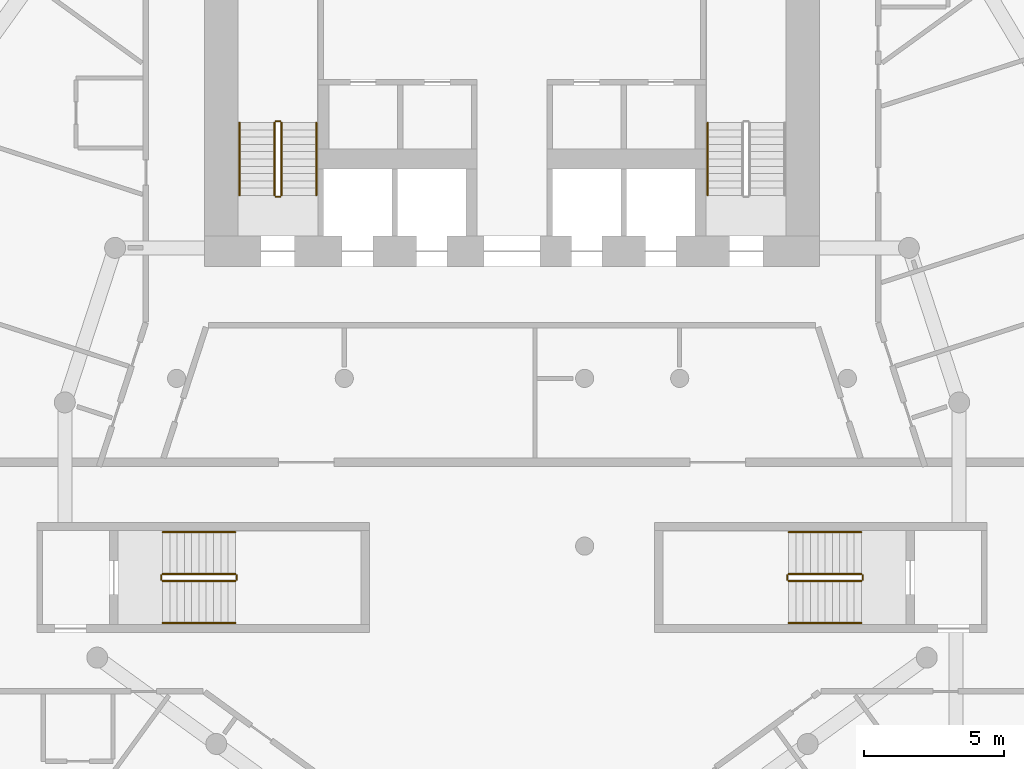
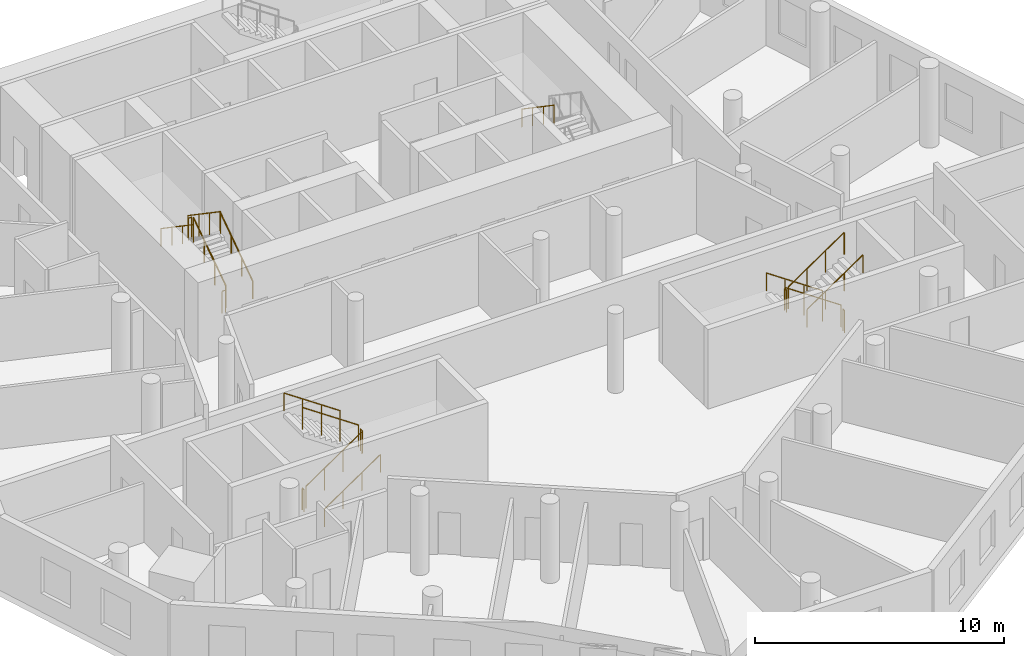
# One storey, part 8 of 9: 19 railings.
"""IFC4 building model written with IfcOpenShell, lengths in metres."""

from ifc_helpers import new_model, si_unit, direction, frame, origin, origin_2d, place, context, subcontext, project, spatial, circle, extrude, material, type_object, element, save


model = new_model("IFC4")

# Units and contexts
model_context = context("Model", 3, precision=1e-05, world=origin(), true_north=direction((0.0, 1.0)))
body_context = subcontext(model_context, "Body", "Model", "MODEL_VIEW")
ifc_project = project(units=[si_unit("LENGTHUNIT", "METRE"), si_unit("AREAUNIT", "SQUARE_METRE"), si_unit("VOLUMEUNIT", "CUBIC_METRE"), si_unit("PLANEANGLEUNIT", "RADIAN"), si_unit("MASSUNIT", "GRAM", prefix="KILO")], contexts=[model_context])

# Site, building, storey
site_placement = place(None, origin())
site = spatial("IfcSite", under=ifc_project, at=site_placement, CompositionType="ELEMENT")
building_placement = place(site_placement, origin())
building = spatial("IfcBuilding", under=site, at=building_placement, Name="White Candle Pilgrim Tower", CompositionType="ELEMENT")
storey_placement = place(building_placement, frame((0.0, 0.0, 94.699951171875)))
storey = spatial("IfcBuildingStorey", under=building, at=storey_placement, Name="L20", CompositionType="ELEMENT", Elevation=94.699951171875)

# Railings
ifc_material = material(Name="Stainless steel", Category="steel")
railing_type_1 = type_object("IfcRailingType", Name="Stair guard stainless steel 1100 mm", PredefinedType="GUARDRAIL", material=ifc_material)
railing_1_placement = place(storey_placement, frame((61.75, 73.550048828125, 0.17724609375)))
element("IfcRailing", 1, at=railing_1_placement, inside=storey, type_object=railing_type_1, Name="L20 ST1 stair guard 1", PredefinedType="GUARDRAIL", context=body_context, shape_type="SweptSolid", body=[
    extrude(circle(Radius=0.02392578125, at=origin_2d()), frame((0.0, 0.0, 1.076171875), z_axis=(0.0, 0.826215852431, 0.563353676824), x_axis=(-1.0, 0.0, 0.0)), (0.0, 0.0, 1.0), 3.146728515625),
    extrude(circle(Radius=0.02099609375, at=origin_2d()), origin(), (0.0, 0.0, 1.0), 1.052001953125),
    extrude(circle(Radius=0.02099609375, at=origin_2d()), frame((0.0, 0.86669921875, 0.5908203125)), (0.0, 0.0, 1.0), 1.052001953125),
    extrude(circle(Radius=0.02099609375, at=origin_2d()), frame((0.0, 1.733154296875, 1.181884765625)), (0.0, 0.0, 1.0), 1.052001953125),
    extrude(circle(Radius=0.02099609375, at=origin_2d()), frame((0.0, 2.599853515625, 1.772705078125)), (0.0, 0.0, 1.0), 1.052001953125),
])
railing_2_placement = place(storey_placement, frame((61.699951171875, 76.199951171875, 1.949951171875)))
element("IfcRailing", 2, at=railing_2_placement, inside=storey, type_object=railing_type_1, Name="L20 ST1 stair guard 2", PredefinedType="GUARDRAIL", context=body_context, shape_type="SweptSolid", body=[
    extrude(circle(Radius=0.02392578125, at=origin_2d()), frame((0.0, 0.0, 1.076171875), z_axis=(-1.0, 0.0, 0.0), x_axis=(0.0, -1.0, 0.0)), (0.0, 0.0, 1.0), 0.14990234375),
    extrude(circle(Radius=0.02099609375, at=origin_2d()), origin(), (0.0, 0.0, 1.0), 1.052001953125),
    extrude(circle(Radius=0.02099609375, at=origin_2d()), frame((-0.14990234375, 0.0, 0.0)), (0.0, 0.0, 1.0), 1.052001953125),
])
railing_3_placement = place(storey_placement, frame((61.5, 76.14990234375, 2.12744140625)))
element("IfcRailing", 3, at=railing_3_placement, inside=storey, type_object=railing_type_1, Name="L20 ST1 stair guard 3", PredefinedType="GUARDRAIL", context=body_context, shape_type="SweptSolid", body=[
    extrude(circle(Radius=0.02392578125, at=origin_2d()), frame((0.0, 0.0, 1.076171875), z_axis=(0.0, -0.826215852431, 0.563353676824), x_axis=(1.0, 0.0, 0.0)), (0.0, 0.0, 1.0), 3.146728515625),
    extrude(circle(Radius=0.02099609375, at=origin_2d()), origin(), (0.0, 0.0, 1.0), 1.052001953125),
    extrude(circle(Radius=0.02099609375, at=origin_2d()), frame((0.0, -0.86669921875, 0.5908203125)), (0.0, 0.0, 1.0), 1.052001953125),
    extrude(circle(Radius=0.02099609375, at=origin_2d()), frame((0.0, -1.733154296875, 1.181884765625)), (0.0, 0.0, 1.0), 1.052001953125),
    extrude(circle(Radius=0.02099609375, at=origin_2d()), frame((0.0, -2.599853515625, 1.772705078125)), (0.0, 0.0, 1.0), 1.052001953125),
])
railing_4_placement = place(storey_placement, frame((61.699951171875, 73.5, 0.0)))
element("IfcRailing", 4, at=railing_4_placement, inside=storey, type_object=railing_type_1, Name="L20 ST1 stair guard 4", PredefinedType="GUARDRAIL", context=body_context, shape_type="SweptSolid", body=[
    extrude(circle(Radius=0.02392578125, at=origin_2d()), frame((0.0, 0.0, 1.076171875), z_axis=(-1.0, 0.0, 0.0), x_axis=(0.0, -1.0, 0.0)), (0.0, 0.0, 1.0), 0.14990234375),
    extrude(circle(Radius=0.02099609375, at=origin_2d()), origin(), (0.0, 0.0, 1.0), 1.052001953125),
    extrude(circle(Radius=0.02099609375, at=origin_2d()), frame((-0.14990234375, 0.0, 0.0)), (0.0, 0.0, 1.0), 1.052001953125),
])
railing_5_placement = place(storey_placement, frame((82.5, 60.0, 0.17724609375)))
element("IfcRailing", 5, at=railing_5_placement, inside=storey, type_object=railing_type_1, Name="L20 ST4 stair guard 1", PredefinedType="GUARDRAIL", context=body_context, shape_type="SweptSolid", body=[
    extrude(circle(Radius=0.02392578125, at=origin_2d()), frame((0.0, 0.0, 1.076171875), z_axis=(-0.826240473404, 0.0, 0.563317565952), x_axis=(0.0, -1.0, 0.0)), (0.0, 0.0, 1.0), 3.14697265625),
    extrude(circle(Radius=0.02099609375, at=origin_2d()), origin(), (0.0, 0.0, 1.0), 1.052001953125),
    extrude(circle(Radius=0.02099609375, at=origin_2d()), frame((-0.86669921875, 0.0, 0.5908203125)), (0.0, 0.0, 1.0), 1.052001953125),
    extrude(circle(Radius=0.02099609375, at=origin_2d()), frame((-1.7333984375, 0.0, 1.181884765625)), (0.0, 0.0, 1.0), 1.052001953125),
    extrude(circle(Radius=0.02099609375, at=origin_2d()), frame((-2.60009765625, 0.0, 1.772705078125)), (0.0, 0.0, 1.0), 1.052001953125),
])
railing_6_placement = place(storey_placement, frame((79.85009765625, 59.949951171875, 1.949951171875)))
element("IfcRailing", 6, at=railing_6_placement, inside=storey, type_object=railing_type_1, Name="L20 ST4 stair guard 2", PredefinedType="GUARDRAIL", context=body_context, shape_type="SweptSolid", body=[
    extrude(circle(Radius=0.02392578125, at=origin_2d()), frame((0.0, 0.0, 1.076171875), z_axis=(0.0, -1.0, 0.0), x_axis=(1.0, 0.0, 0.0)), (0.0, 0.0, 1.0), 0.14990234375),
    extrude(circle(Radius=0.02099609375, at=origin_2d()), origin(), (0.0, 0.0, 1.0), 1.052001953125),
    extrude(circle(Radius=0.02099609375, at=origin_2d()), frame((0.0, -0.14990234375, 0.0)), (0.0, 0.0, 1.0), 1.052001953125),
])
railing_7_placement = place(storey_placement, frame((79.89990234375, 59.75, 2.12744140625)))
element("IfcRailing", 7, at=railing_7_placement, inside=storey, type_object=railing_type_1, Name="L20 ST4 stair guard 3", PredefinedType="GUARDRAIL", context=body_context, shape_type="SweptSolid", body=[
    extrude(circle(Radius=0.02392578125, at=origin_2d()), frame((0.0, 0.0, 1.076171875), z_axis=(0.826240473404, 0.0, 0.563317565952), x_axis=(0.0, 1.0, 0.0)), (0.0, 0.0, 1.0), 3.14697265625),
    extrude(circle(Radius=0.02099609375, at=origin_2d()), origin(), (0.0, 0.0, 1.0), 1.052001953125),
    extrude(circle(Radius=0.02099609375, at=origin_2d()), frame((0.86669921875, 0.0, 0.5908203125)), (0.0, 0.0, 1.0), 1.052001953125),
    extrude(circle(Radius=0.02099609375, at=origin_2d()), frame((1.7333984375, 0.0, 1.181884765625)), (0.0, 0.0, 1.0), 1.052001953125),
    extrude(circle(Radius=0.02099609375, at=origin_2d()), frame((2.60009765625, 0.0, 1.772705078125)), (0.0, 0.0, 1.0), 1.052001953125),
])
railing_8_placement = place(storey_placement, frame((82.550048828125, 59.949951171875, 0.0)))
element("IfcRailing", 8, at=railing_8_placement, inside=storey, type_object=railing_type_1, Name="L20 ST4 stair guard 4", PredefinedType="GUARDRAIL", context=body_context, shape_type="SweptSolid", body=[
    extrude(circle(Radius=0.02392578125, at=origin_2d()), frame((0.0, 0.0, 1.076171875), z_axis=(0.0, -1.0, 0.0), x_axis=(1.0, 0.0, 0.0)), (0.0, 0.0, 1.0), 0.14990234375),
    extrude(circle(Radius=0.02099609375, at=origin_2d()), origin(), (0.0, 0.0, 1.0), 1.052001953125),
    extrude(circle(Radius=0.02099609375, at=origin_2d()), frame((0.0, -0.14990234375, 0.0)), (0.0, 0.0, 1.0), 1.052001953125),
])
railing_9_placement = place(storey_placement, frame((57.5, 59.75, 0.17724609375)))
element("IfcRailing", 9, at=railing_9_placement, inside=storey, type_object=railing_type_1, Name="L20 ST5 stair guard 1", PredefinedType="GUARDRAIL", context=body_context, shape_type="SweptSolid", body=[
    extrude(circle(Radius=0.02392578125, at=origin_2d()), frame((0.0, 0.0, 1.076171875), z_axis=(0.826240473404, 0.0, 0.563317565952), x_axis=(0.0, 1.0, 0.0)), (0.0, 0.0, 1.0), 3.14697265625),
    extrude(circle(Radius=0.02099609375, at=origin_2d()), origin(), (0.0, 0.0, 1.0), 1.052001953125),
    extrude(circle(Radius=0.02099609375, at=origin_2d()), frame((0.86669921875, 0.0, 0.5908203125)), (0.0, 0.0, 1.0), 1.052001953125),
    extrude(circle(Radius=0.02099609375, at=origin_2d()), frame((1.7333984375, 0.0, 1.181884765625)), (0.0, 0.0, 1.0), 1.052001953125),
    extrude(circle(Radius=0.02099609375, at=origin_2d()), frame((2.60009765625, 0.0, 1.772705078125)), (0.0, 0.0, 1.0), 1.052001953125),
])
railing_10_placement = place(storey_placement, frame((60.14990234375, 59.800048828125, 1.949951171875)))
element("IfcRailing", 10, at=railing_10_placement, inside=storey, type_object=railing_type_1, Name="L20 ST5 stair guard 2", PredefinedType="GUARDRAIL", context=body_context, shape_type="SweptSolid", body=[
    extrude(circle(Radius=0.02392578125, at=origin_2d()), frame((0.0, 0.0, 1.076171875), z_axis=(0.0, 1.0, 0.0), x_axis=(-1.0, 0.0, 0.0)), (0.0, 0.0, 1.0), 0.14990234375),
    extrude(circle(Radius=0.02099609375, at=origin_2d()), origin(), (0.0, 0.0, 1.0), 1.052001953125),
    extrude(circle(Radius=0.02099609375, at=origin_2d()), frame((0.0, 0.14990234375, 0.0)), (0.0, 0.0, 1.0), 1.052001953125),
])
railing_11_placement = place(storey_placement, frame((60.10009765625, 60.0, 2.12744140625)))
element("IfcRailing", 11, at=railing_11_placement, inside=storey, type_object=railing_type_1, Name="L20 ST5 stair guard 3", PredefinedType="GUARDRAIL", context=body_context, shape_type="SweptSolid", body=[
    extrude(circle(Radius=0.02392578125, at=origin_2d()), frame((0.0, 0.0, 1.076171875), z_axis=(-0.826240473404, 0.0, 0.563317565952), x_axis=(0.0, -1.0, 0.0)), (0.0, 0.0, 1.0), 3.14697265625),
    extrude(circle(Radius=0.02099609375, at=origin_2d()), origin(), (0.0, 0.0, 1.0), 1.052001953125),
    extrude(circle(Radius=0.02099609375, at=origin_2d()), frame((-0.86669921875, 0.0, 0.5908203125)), (0.0, 0.0, 1.0), 1.052001953125),
    extrude(circle(Radius=0.02099609375, at=origin_2d()), frame((-1.7333984375, 0.0, 1.181884765625)), (0.0, 0.0, 1.0), 1.052001953125),
    extrude(circle(Radius=0.02099609375, at=origin_2d()), frame((-2.60009765625, 0.0, 1.772705078125)), (0.0, 0.0, 1.0), 1.052001953125),
])
railing_12_placement = place(storey_placement, frame((57.449951171875, 59.800048828125, 0.0)))
element("IfcRailing", 12, at=railing_12_placement, inside=storey, type_object=railing_type_1, Name="L20 ST5 stair guard 4", PredefinedType="GUARDRAIL", context=body_context, shape_type="SweptSolid", body=[
    extrude(circle(Radius=0.02392578125, at=origin_2d()), frame((0.0, 0.0, 1.076171875), z_axis=(0.0, 1.0, 0.0), x_axis=(-1.0, 0.0, 0.0)), (0.0, 0.0, 1.0), 0.14990234375),
    extrude(circle(Radius=0.02099609375, at=origin_2d()), origin(), (0.0, 0.0, 1.0), 1.052001953125),
    extrude(circle(Radius=0.02099609375, at=origin_2d()), frame((0.0, 0.14990234375, 0.0)), (0.0, 0.0, 1.0), 1.052001953125),
])
railing_type_2 = type_object("IfcRailingType", Name="Stair handrail stainless steel", PredefinedType="HANDRAIL", material=ifc_material)
railing_13_placement = place(storey_placement, frame((63.0, 73.550048828125, 0.17724609375)))
element("IfcRailing", 13, at=railing_13_placement, inside=storey, type_object=railing_type_2, Name="L20 ST1 stair handrail 1", PredefinedType="HANDRAIL", context=body_context, shape_type="SweptSolid", body=[
    extrude(circle(Radius=0.02392578125, at=origin_2d()), frame((0.0, 0.0, 0.8759765625), z_axis=(0.0, 0.826215852431, 0.563353676824), x_axis=(-1.0, 0.0, 0.0)), (0.0, 0.0, 1.0), 3.146728515625),
    extrude(circle(Radius=0.02099609375, at=origin_2d()), origin(), (0.0, 0.0, 1.0), 0.851806640625),
    extrude(circle(Radius=0.02099609375, at=origin_2d()), frame((0.0, 0.86669921875, 0.5908203125)), (0.0, 0.0, 1.0), 0.851806640625),
    extrude(circle(Radius=0.02099609375, at=origin_2d()), frame((0.0, 1.733154296875, 1.181884765625)), (0.0, 0.0, 1.0), 0.851806640625),
    extrude(circle(Radius=0.02099609375, at=origin_2d()), frame((0.0, 2.599853515625, 1.772705078125)), (0.0, 0.0, 1.0), 0.851806640625),
])
for number, where, name in (
    (14, (60.25, 76.14990234375, 2.12744140625), "L20 ST1 stair handrail 2"),
    (15, (77.0, 76.14990234375, 2.12744140625), "L20 ST2 stair handrail 2"),
):
    element("IfcRailing", number, at=place(storey_placement, frame(where)), inside=storey, type_object=railing_type_2, Name=name, PredefinedType="HANDRAIL", context=body_context, shape_type="SweptSolid", body=[
        extrude(circle(Radius=0.02392578125, at=origin_2d()), frame((0.0, 0.0, 0.8759765625), z_axis=(0.0, -0.826215852431, 0.563353676824), x_axis=(1.0, 0.0, 0.0)), (0.0, 0.0, 1.0), 3.146728515625),
        extrude(circle(Radius=0.02099609375, at=origin_2d()), origin(), (0.0, 0.0, 1.0), 0.851806640625),
        extrude(circle(Radius=0.02099609375, at=origin_2d()), frame((0.0, -0.86669921875, 0.5908203125)), (0.0, 0.0, 1.0), 0.851806640625),
        extrude(circle(Radius=0.02099609375, at=origin_2d()), frame((0.0, -1.733154296875, 1.181884765625)), (0.0, 0.0, 1.0), 0.851806640625),
        extrude(circle(Radius=0.02099609375, at=origin_2d()), frame((0.0, -2.599853515625, 1.772705078125)), (0.0, 0.0, 1.0), 0.851806640625),
    ])
railing_14_placement = place(storey_placement, frame((82.5, 61.5, 0.17724609375)))
element("IfcRailing", 16, at=railing_14_placement, inside=storey, type_object=railing_type_2, Name="L20 ST4 stair handrail 1", PredefinedType="HANDRAIL", context=body_context, shape_type="SweptSolid", body=[
    extrude(circle(Radius=0.02392578125, at=origin_2d()), frame((0.0, 0.0, 0.8759765625), z_axis=(-0.826240473404, 0.0, 0.563317565952), x_axis=(0.0, -1.0, 0.0)), (0.0, 0.0, 1.0), 3.14697265625),
    extrude(circle(Radius=0.02099609375, at=origin_2d()), origin(), (0.0, 0.0, 1.0), 0.851806640625),
    extrude(circle(Radius=0.02099609375, at=origin_2d()), frame((-0.86669921875, 0.0, 0.5908203125)), (0.0, 0.0, 1.0), 0.851806640625),
    extrude(circle(Radius=0.02099609375, at=origin_2d()), frame((-1.7333984375, 0.0, 1.181884765625)), (0.0, 0.0, 1.0), 0.851806640625),
    extrude(circle(Radius=0.02099609375, at=origin_2d()), frame((-2.60009765625, 0.0, 1.772705078125)), (0.0, 0.0, 1.0), 0.851806640625),
])
for number, where, name in (
    (17, (79.89990234375, 58.25, 2.12744140625), "L20 ST4 stair handrail 2"),
    (18, (57.5, 58.25, 0.17724609375), "L20 ST5 stair handrail 1"),
):
    element("IfcRailing", number, at=place(storey_placement, frame(where)), inside=storey, type_object=railing_type_2, Name=name, PredefinedType="HANDRAIL", context=body_context, shape_type="SweptSolid", body=[
        extrude(circle(Radius=0.02392578125, at=origin_2d()), frame((0.0, 0.0, 0.8759765625), z_axis=(0.826240473404, 0.0, 0.563317565952), x_axis=(0.0, 1.0, 0.0)), (0.0, 0.0, 1.0), 3.14697265625),
        extrude(circle(Radius=0.02099609375, at=origin_2d()), origin(), (0.0, 0.0, 1.0), 0.851806640625),
        extrude(circle(Radius=0.02099609375, at=origin_2d()), frame((0.86669921875, 0.0, 0.5908203125)), (0.0, 0.0, 1.0), 0.851806640625),
        extrude(circle(Radius=0.02099609375, at=origin_2d()), frame((1.7333984375, 0.0, 1.181884765625)), (0.0, 0.0, 1.0), 0.851806640625),
        extrude(circle(Radius=0.02099609375, at=origin_2d()), frame((2.60009765625, 0.0, 1.772705078125)), (0.0, 0.0, 1.0), 0.851806640625),
    ])
railing_15_placement = place(storey_placement, frame((60.10009765625, 61.5, 2.12744140625)))
element("IfcRailing", 19, at=railing_15_placement, inside=storey, type_object=railing_type_2, Name="L20 ST5 stair handrail 2", PredefinedType="HANDRAIL", context=body_context, shape_type="SweptSolid", body=[
    extrude(circle(Radius=0.02392578125, at=origin_2d()), frame((0.0, 0.0, 0.8759765625), z_axis=(-0.826240473404, 0.0, 0.563317565952), x_axis=(0.0, -1.0, 0.0)), (0.0, 0.0, 1.0), 3.14697265625),
    extrude(circle(Radius=0.02099609375, at=origin_2d()), origin(), (0.0, 0.0, 1.0), 0.851806640625),
    extrude(circle(Radius=0.02099609375, at=origin_2d()), frame((-0.86669921875, 0.0, 0.5908203125)), (0.0, 0.0, 1.0), 0.851806640625),
    extrude(circle(Radius=0.02099609375, at=origin_2d()), frame((-1.7333984375, 0.0, 1.181884765625)), (0.0, 0.0, 1.0), 0.851806640625),
    extrude(circle(Radius=0.02099609375, at=origin_2d()), frame((-2.60009765625, 0.0, 1.772705078125)), (0.0, 0.0, 1.0), 0.851806640625),
])

save(model, "model.ifc")
